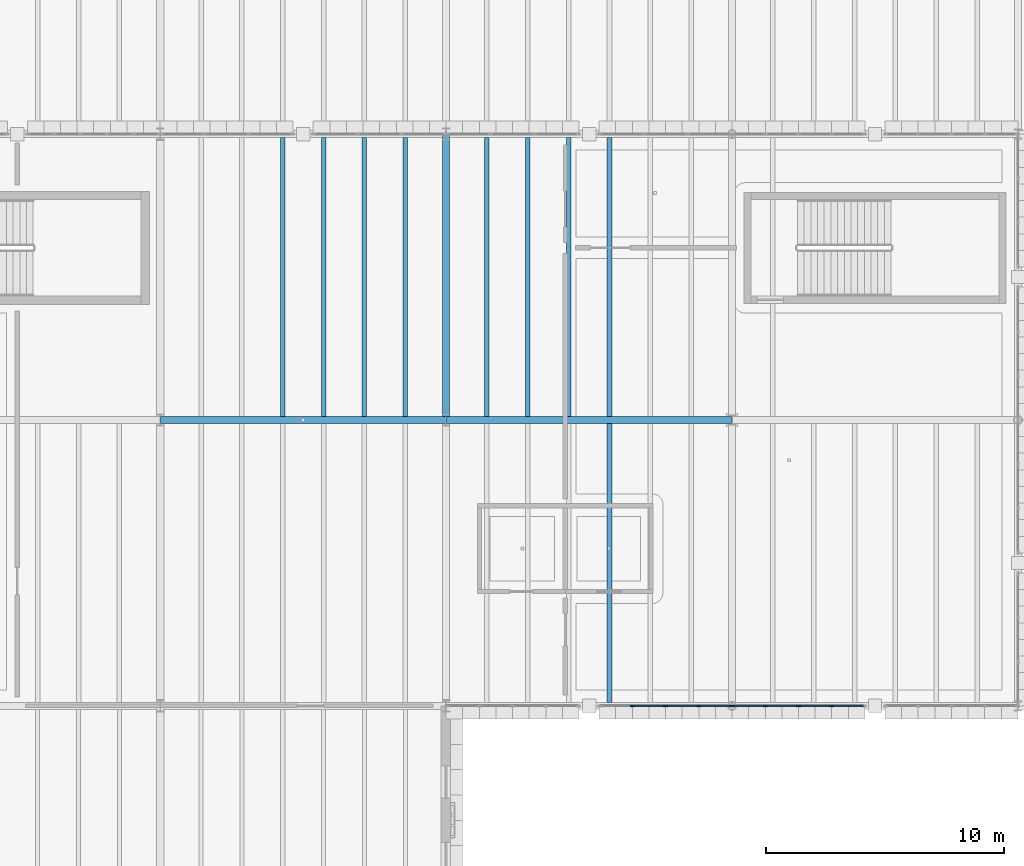
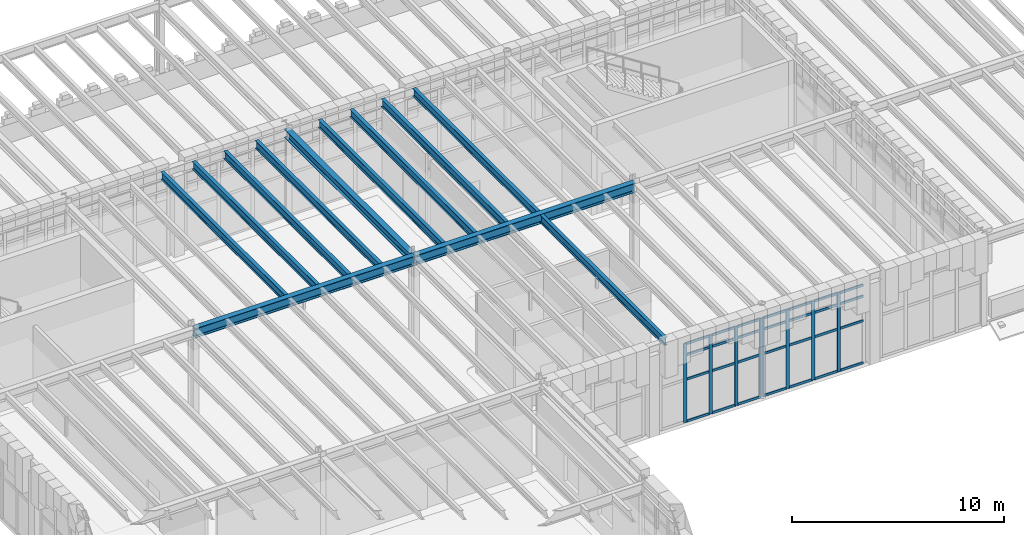
# One storey, part 20 of 100: 36 members, 12 beams, 2 elements without a shape of their own.
"""IFC4 building model written with IfcOpenShell, lengths in metres."""

from ifc_helpers import new_model, si_unit, direction, frame, origin, origin_2d, place, context, subcontext, project, spatial, rectangle, i_section, extrude, material, layer, layer_set, material_profile, profile_set, type_object, element, aggregate, save


model = new_model("IFC4")

# Units and contexts
model_context = context("Model", 3, precision=1e-05, world=origin(), true_north=direction((0.0, 1.0)))
body_context = subcontext(model_context, "Body", "Model", "MODEL_VIEW")
ifc_project = project(units=[si_unit("LENGTHUNIT", "METRE"), si_unit("AREAUNIT", "SQUARE_METRE"), si_unit("VOLUMEUNIT", "CUBIC_METRE"), si_unit("PLANEANGLEUNIT", "RADIAN"), si_unit("MASSUNIT", "GRAM", prefix="KILO")], contexts=[model_context])

# Site, building, storey
site_placement = place(None, origin())
site = spatial("IfcSite", under=ifc_project, at=site_placement, CompositionType="ELEMENT")
building_placement = place(site_placement, origin())
building = spatial("IfcBuilding", under=site, at=building_placement, Name="Zlatogorsky Bluff Art Gallery", CompositionType="ELEMENT")
storey_placement = place(building_placement, frame((0.0, 0.0, 5.39990234375)))
storey = spatial("IfcBuildingStorey", under=building, at=storey_placement, Name="L01", CompositionType="ELEMENT", Elevation=5.39990234375)

# Beams
ifc_material_1 = material(Name="Steel S355", Category="steel")
ifc_material_profile_1 = material_profile(ifc_material_1, i_section(OverallWidth=0.300048828125, OverallDepth=0.5400390625, WebThickness=0.012451171875, FlangeThickness=0.02392578125, FilletRadius=0.027099609375, at=origin_2d()), Name="HEA 550")
ifc_profile_set_1 = profile_set([ifc_material_profile_1], Name="Steel S355")
beam_type_1 = type_object("IfcBeamType", Name="Beam BM-06 HEA 550", PredefinedType="BEAM", material=ifc_profile_set_1)
for number, where, z_axis, x_axis, name in (
    (1, (12.014892578125, 96.0, 4.840087890625), (1.0, 0.0, 0.0), (0.0, 1.0, 0.0), "Primary girder BM-06 L01 B-C/10"),
    (2, (24.014892578125, 96.0, 4.840087890625), (1.0, 0.0, 0.0), (0.0, 1.0, 0.0), "Primary girder BM-06 L01 C-D/10"),
):
    element("IfcBeam", number, at=place(storey_placement, frame(where, z_axis=z_axis, x_axis=x_axis)), inside=storey, type_object=beam_type_1, Name=name, PredefinedType="BEAM", context=body_context, shape_type="SweptSolid", body=[
        extrude(i_section(OverallWidth=0.300048828125, OverallDepth=0.5400390625, WebThickness=0.012451171875, FlangeThickness=0.02392578125, FilletRadius=0.027099609375, at=origin_2d()), origin(), (0.0, 0.0, 1.0), 11.97021484375),
    ])
ifc_material_profile_2 = material_profile(ifc_material_1, i_section(OverallWidth=0.300048828125, OverallDepth=0.489990234375, WebThickness=0.011962890625, FlangeThickness=0.02294921875, FilletRadius=0.027099609375, at=origin_2d()), Name="HEA 500")
ifc_profile_set_2 = profile_set([ifc_material_profile_2], Name="Steel S355")
beam_type_2 = type_object("IfcBeamType", Name="Beam BM-07 HEA 500", PredefinedType="BEAM", material=ifc_profile_set_2)
beam_placement = place(storey_placement, frame((24.0, 96.014892578125, 4.864990234375), z_axis=(0.0, 1.0, 0.0), x_axis=(-1.0, 0.0, 0.0)))
element("IfcBeam", 3, at=beam_placement, inside=storey, type_object=beam_type_2, Name="Primary girder BM-07 L01 C/10-11", PredefinedType="BEAM", context=body_context, shape_type="SweptSolid", body=[
    extrude(i_section(OverallWidth=0.300048828125, OverallDepth=0.489990234375, WebThickness=0.011962890625, FlangeThickness=0.02294921875, FilletRadius=0.027099609375, at=origin_2d()), origin(), (0.0, 0.0, 1.0), 11.97021484375),
])
ifc_material_profile_3 = material_profile(ifc_material_1, i_section(OverallWidth=0.18994140625, OverallDepth=0.449951171875, WebThickness=0.009521484375, FlangeThickness=0.0146484375, FilletRadius=0.02099609375, at=origin_2d()), Name="IPE 450")
ifc_profile_set_3 = profile_set([ifc_material_profile_3], Name="Steel S355")
beam_type_3 = type_object("IfcBeamType", Name="Beam JS-06 IPE 450", PredefinedType="JOIST", material=ifc_profile_set_3)
for number, where, z_axis, x_axis, name in (
    (4, (17.142822265625, 96.14990234375, 4.885009765625), (0.0, 1.0, 0.0), (-1.0, 0.0, 0.0), "Composite floor joist JS-06 L01 01.09.3"),
    (5, (18.857177734375, 96.14990234375, 4.885009765625), (0.0, 1.0, 0.0), (-1.0, 0.0, 0.0), "Composite floor joist JS-06 L01 01.09.4"),
    (6, (20.571533203125, 96.14990234375, 4.885009765625), (0.0, 1.0, 0.0), (-1.0, 0.0, 0.0), "Composite floor joist JS-06 L01 01.09.5"),
    (7, (22.28564453125, 96.14990234375, 4.885009765625), (0.0, 1.0, 0.0), (-1.0, 0.0, 0.0), "Composite floor joist JS-06 L01 01.09.6"),
    (8, (30.857177734375, 84.14990234375, 4.885009765625), (0.0, 1.0, 0.0), (-1.0, 0.0, 0.0), "Composite floor joist JS-06 L01 02.08.4"),
    (9, (25.71435546875, 96.14990234375, 4.885009765625), (0.0, 1.0, 0.0), (-1.0, 0.0, 0.0), "Composite floor joist JS-06 L01 02.09.1"),
    (10, (27.428466796875, 96.14990234375, 4.885009765625), (0.0, 1.0, 0.0), (-1.0, 0.0, 0.0), "Composite floor joist JS-06 L01 02.09.2"),
    (11, (29.142822265625, 96.14990234375, 4.885009765625), (0.0, 1.0, 0.0), (-1.0, 0.0, 0.0), "Composite floor joist JS-06 L01 02.09.3"),
    (12, (30.857177734375, 96.14990234375, 4.885009765625), (0.0, 1.0, 0.0), (-1.0, 0.0, 0.0), "Composite floor joist JS-06 L01 02.09.4"),
):
    element("IfcBeam", number, at=place(storey_placement, frame(where, z_axis=z_axis, x_axis=x_axis)), inside=storey, type_object=beam_type_3, Name=name, PredefinedType="JOIST", context=body_context, shape_type="SweptSolid", body=[
        extrude(i_section(OverallWidth=0.18994140625, OverallDepth=0.449951171875, WebThickness=0.009521484375, FlangeThickness=0.0146484375, FilletRadius=0.02099609375, at=origin_2d()), origin(), (0.0, 0.0, 1.0), 11.7001953125),
    ])

# Curtain wall, members
ifc_material_2 = material(Name="Anodised Bronze Aluminium and Low-Iron Triple Glazing", Category="aluminium")
ifc_layer = layer(ifc_material_2, 0.199951171875)
ifc_layer_set = layer_set([ifc_layer], Name="Curtain Wall CW-02")
curtain_wall_type = type_object("IfcCurtainWallType", Name="Curtain Wall CW-02", PredefinedType="USERDEFINED", material=ifc_layer_set)
curtain_wall_1_placement = place(storey_placement, origin())
curtain_wall_1 = element("IfcCurtainWall", 13, at=curtain_wall_1_placement, inside=storey, type_object=curtain_wall_type, Name="Unitised curtain wall CW-02 L01 S 2.8-B", ObjectType="CURTAIN WALL", PredefinedType="USERDEFINED")
ifc_material_3 = material(Name="Anodised Bronze Aluminium", Category="aluminium")
ifc_material_profile_4 = material_profile(ifc_material_3, rectangle(XDim=0.06494140625, YDim=0.179931640625, at=origin_2d()), Name="ALU MULLION 65x180")
ifc_profile_set_4 = profile_set([ifc_material_profile_4], Name="Anodised Bronze Aluminium")
member_type_1 = type_object("IfcMemberType", Name="Curtain Mullion ML-01", PredefinedType="MULLION", material=ifc_profile_set_4)
member_1_placement = place(storey_placement, frame((31.81494140625, 84.0, 0.0), z_axis=(0.0, 0.0, 1.0), x_axis=(0.0, 1.0, 0.0)))
member_1 = element("IfcMember", 14, at=member_1_placement, type_object=member_type_1, Name="CW-02 mullion 2", PredefinedType="MULLION", context=body_context, shape_type="SweptSolid", body=[
    extrude(rectangle(XDim=0.06494140625, YDim=0.179931640625, at=origin_2d()), origin(), (0.0, 0.0, 1.0), 4.530029296875),
])
member_2_placement = place(storey_placement, frame((33.2099609375, 84.0, 0.0), z_axis=(0.0, 0.0, 1.0), x_axis=(0.0, 1.0, 0.0)))
member_2 = element("IfcMember", 15, at=member_2_placement, type_object=member_type_1, Name="CW-02 mullion 3", PredefinedType="MULLION", context=body_context, shape_type="SweptSolid", body=[
    extrude(rectangle(XDim=0.06494140625, YDim=0.179931640625, at=origin_2d()), origin(), (0.0, 0.0, 1.0), 4.530029296875),
])
member_3_placement = place(storey_placement, frame((34.60498046875, 84.0, 0.0), z_axis=(0.0, 0.0, 1.0), x_axis=(0.0, 1.0, 0.0)))
member_3 = element("IfcMember", 16, at=member_3_placement, type_object=member_type_1, Name="CW-02 mullion 4", PredefinedType="MULLION", context=body_context, shape_type="SweptSolid", body=[
    extrude(rectangle(XDim=0.06494140625, YDim=0.179931640625, at=origin_2d()), origin(), (0.0, 0.0, 1.0), 4.530029296875),
])
member_4_placement = place(storey_placement, frame((35.967529296875, 84.0, 0.0), z_axis=(0.0, 0.0, 1.0), x_axis=(0.0, 1.0, 0.0)))
member_4 = element("IfcMember", 17, at=member_4_placement, type_object=member_type_1, Name="CW-02 mullion 5", PredefinedType="MULLION", context=body_context, shape_type="SweptSolid", body=[
    extrude(rectangle(XDim=0.06494140625, YDim=0.179931640625, at=origin_2d()), origin(), (0.0, 0.0, 1.0), 4.530029296875),
])

curtain_wall_2_placement = place(storey_placement, origin())
curtain_wall_2 = element("IfcCurtainWall", 18, at=curtain_wall_2_placement, inside=storey, type_object=curtain_wall_type, Name="Unitised curtain wall CW-02 L01 S 3.8-A", ObjectType="CURTAIN WALL", PredefinedType="USERDEFINED")
member_5_placement = place(storey_placement, frame((36.032470703125, 84.0, 0.0), z_axis=(0.0, 0.0, 1.0), x_axis=(0.0, 1.0, 0.0)))
member_5 = element("IfcMember", 19, at=member_5_placement, type_object=member_type_1, Name="CW-02 mullion 1", PredefinedType="MULLION", context=body_context, shape_type="SweptSolid", body=[
    extrude(rectangle(XDim=0.06494140625, YDim=0.179931640625, at=origin_2d()), origin(), (0.0, 0.0, 1.0), 4.530029296875),
])
member_6_placement = place(storey_placement, frame((37.39501953125, 84.0, 0.0), z_axis=(0.0, 0.0, 1.0), x_axis=(0.0, 1.0, 0.0)))
member_6 = element("IfcMember", 20, at=member_6_placement, type_object=member_type_1, Name="CW-02 mullion 2", PredefinedType="MULLION", context=body_context, shape_type="SweptSolid", body=[
    extrude(rectangle(XDim=0.06494140625, YDim=0.179931640625, at=origin_2d()), origin(), (0.0, 0.0, 1.0), 4.530029296875),
])
member_7_placement = place(storey_placement, frame((38.7900390625, 84.0, 0.0), z_axis=(0.0, 0.0, 1.0), x_axis=(0.0, 1.0, 0.0)))
member_7 = element("IfcMember", 21, at=member_7_placement, type_object=member_type_1, Name="CW-02 mullion 3", PredefinedType="MULLION", context=body_context, shape_type="SweptSolid", body=[
    extrude(rectangle(XDim=0.06494140625, YDim=0.179931640625, at=origin_2d()), origin(), (0.0, 0.0, 1.0), 4.530029296875),
])
member_8_placement = place(storey_placement, frame((40.18505859375, 84.0, 0.0), z_axis=(0.0, 0.0, 1.0), x_axis=(0.0, 1.0, 0.0)))
member_8 = element("IfcMember", 22, at=member_8_placement, type_object=member_type_1, Name="CW-02 mullion 4", PredefinedType="MULLION", context=body_context, shape_type="SweptSolid", body=[
    extrude(rectangle(XDim=0.06494140625, YDim=0.179931640625, at=origin_2d()), origin(), (0.0, 0.0, 1.0), 4.530029296875),
])

# Member
ifc_material_profile_5 = material_profile(ifc_material_3, rectangle(XDim=0.06494140625, YDim=0.139892578125, at=origin_2d()), Name="ALU TRANSOM 65x140")
ifc_profile_set_5 = profile_set([ifc_material_profile_5], Name="Anodised Bronze Aluminium")
member_type_2 = type_object("IfcMemberType", Name="Curtain Transom TR-01", PredefinedType="USERDEFINED", material=ifc_profile_set_5)
member_9_placement = place(storey_placement, frame((31.847412109375, 84.0, 0.03271484375), z_axis=(1.0, 0.0, 0.0), x_axis=(0.0, 1.0, 0.0)))
member_9 = element("IfcMember", 23, at=member_9_placement, type_object=member_type_2, Name="CW-02 transom 2.1", ObjectType="TRANSOM", PredefinedType="USERDEFINED", context=body_context, shape_type="SweptSolid", body=[
    extrude(rectangle(XDim=0.06494140625, YDim=0.139892578125, at=origin_2d()), origin(), (0.0, 0.0, 1.0), 1.330078125),
])

member_10_placement = place(storey_placement, frame((31.847412109375, 84.0, 2.4501953125), z_axis=(1.0, 0.0, 0.0), x_axis=(0.0, 1.0, 0.0)))
member_10 = element("IfcMember", 24, at=member_10_placement, type_object=member_type_2, Name="CW-02 transom 2.2", ObjectType="TRANSOM", PredefinedType="USERDEFINED", context=body_context, shape_type="SweptSolid", body=[
    extrude(rectangle(XDim=0.06494140625, YDim=0.139892578125, at=origin_2d()), origin(), (0.0, 0.0, 1.0), 1.330078125),
])

member_11_placement = place(storey_placement, frame((31.847412109375, 84.0, 3.85009765625), z_axis=(1.0, 0.0, 0.0), x_axis=(0.0, 1.0, 0.0)))
member_11 = element("IfcMember", 25, at=member_11_placement, type_object=member_type_2, Name="CW-02 transom 2.3", ObjectType="TRANSOM", PredefinedType="USERDEFINED", context=body_context, shape_type="SweptSolid", body=[
    extrude(rectangle(XDim=0.06494140625, YDim=0.139892578125, at=origin_2d()), origin(), (0.0, 0.0, 1.0), 1.330078125),
])

member_12_placement = place(storey_placement, frame((31.847412109375, 84.0, 4.49755859375), z_axis=(1.0, 0.0, 0.0), x_axis=(0.0, 1.0, 0.0)))
member_12 = element("IfcMember", 26, at=member_12_placement, type_object=member_type_2, Name="CW-02 transom 2.4", ObjectType="TRANSOM", PredefinedType="USERDEFINED", context=body_context, shape_type="SweptSolid", body=[
    extrude(rectangle(XDim=0.06494140625, YDim=0.139892578125, at=origin_2d()), origin(), (0.0, 0.0, 1.0), 1.330078125),
])

member_13_placement = place(storey_placement, frame((33.242431640625, 84.0, 0.03271484375), z_axis=(1.0, 0.0, 0.0), x_axis=(0.0, 1.0, 0.0)))
member_13 = element("IfcMember", 27, at=member_13_placement, type_object=member_type_2, Name="CW-02 transom 3.1", ObjectType="TRANSOM", PredefinedType="USERDEFINED", context=body_context, shape_type="SweptSolid", body=[
    extrude(rectangle(XDim=0.06494140625, YDim=0.139892578125, at=origin_2d()), origin(), (0.0, 0.0, 1.0), 1.330078125),
])

member_14_placement = place(storey_placement, frame((33.242431640625, 84.0, 2.4501953125), z_axis=(1.0, 0.0, 0.0), x_axis=(0.0, 1.0, 0.0)))
member_14 = element("IfcMember", 28, at=member_14_placement, type_object=member_type_2, Name="CW-02 transom 3.2", ObjectType="TRANSOM", PredefinedType="USERDEFINED", context=body_context, shape_type="SweptSolid", body=[
    extrude(rectangle(XDim=0.06494140625, YDim=0.139892578125, at=origin_2d()), origin(), (0.0, 0.0, 1.0), 1.330078125),
])

member_15_placement = place(storey_placement, frame((33.242431640625, 84.0, 3.85009765625), z_axis=(1.0, 0.0, 0.0), x_axis=(0.0, 1.0, 0.0)))
member_15 = element("IfcMember", 29, at=member_15_placement, type_object=member_type_2, Name="CW-02 transom 3.3", ObjectType="TRANSOM", PredefinedType="USERDEFINED", context=body_context, shape_type="SweptSolid", body=[
    extrude(rectangle(XDim=0.06494140625, YDim=0.139892578125, at=origin_2d()), origin(), (0.0, 0.0, 1.0), 1.330078125),
])

member_16_placement = place(storey_placement, frame((33.242431640625, 84.0, 4.49755859375), z_axis=(1.0, 0.0, 0.0), x_axis=(0.0, 1.0, 0.0)))
member_16 = element("IfcMember", 30, at=member_16_placement, type_object=member_type_2, Name="CW-02 transom 3.4", ObjectType="TRANSOM", PredefinedType="USERDEFINED", context=body_context, shape_type="SweptSolid", body=[
    extrude(rectangle(XDim=0.06494140625, YDim=0.139892578125, at=origin_2d()), origin(), (0.0, 0.0, 1.0), 1.330078125),
])

member_17_placement = place(storey_placement, frame((34.637451171875, 84.0, 0.03271484375), z_axis=(1.0, 0.0, 0.0), x_axis=(0.0, 1.0, 0.0)))
member_17 = element("IfcMember", 31, at=member_17_placement, type_object=member_type_2, Name="CW-02 transom 4.1", ObjectType="TRANSOM", PredefinedType="USERDEFINED", context=body_context, shape_type="SweptSolid", body=[
    extrude(rectangle(XDim=0.06494140625, YDim=0.139892578125, at=origin_2d()), origin(), (0.0, 0.0, 1.0), 1.297607421875),
])

member_18_placement = place(storey_placement, frame((34.637451171875, 84.0, 2.4501953125), z_axis=(1.0, 0.0, 0.0), x_axis=(0.0, 1.0, 0.0)))
member_18 = element("IfcMember", 32, at=member_18_placement, type_object=member_type_2, Name="CW-02 transom 4.2", ObjectType="TRANSOM", PredefinedType="USERDEFINED", context=body_context, shape_type="SweptSolid", body=[
    extrude(rectangle(XDim=0.06494140625, YDim=0.139892578125, at=origin_2d()), origin(), (0.0, 0.0, 1.0), 1.297607421875),
])

member_19_placement = place(storey_placement, frame((34.637451171875, 84.0, 3.85009765625), z_axis=(1.0, 0.0, 0.0), x_axis=(0.0, 1.0, 0.0)))
member_19 = element("IfcMember", 33, at=member_19_placement, type_object=member_type_2, Name="CW-02 transom 4.3", ObjectType="TRANSOM", PredefinedType="USERDEFINED", context=body_context, shape_type="SweptSolid", body=[
    extrude(rectangle(XDim=0.06494140625, YDim=0.139892578125, at=origin_2d()), origin(), (0.0, 0.0, 1.0), 1.297607421875),
])

member_20_placement = place(storey_placement, frame((34.637451171875, 84.0, 4.49755859375), z_axis=(1.0, 0.0, 0.0), x_axis=(0.0, 1.0, 0.0)))
member_20 = element("IfcMember", 34, at=member_20_placement, type_object=member_type_2, Name="CW-02 transom 4.4", ObjectType="TRANSOM", PredefinedType="USERDEFINED", context=body_context, shape_type="SweptSolid", body=[
    extrude(rectangle(XDim=0.06494140625, YDim=0.139892578125, at=origin_2d()), origin(), (0.0, 0.0, 1.0), 1.297607421875),
])

aggregate(curtain_wall_1, [member_1, member_2, member_3, member_4, member_9, member_10, member_11, member_12, member_13, member_14, member_15, member_16, member_17, member_18, member_19, member_20])

member_21_placement = place(storey_placement, frame((36.06494140625, 84.0, 0.03271484375), z_axis=(1.0, 0.0, 0.0), x_axis=(0.0, 1.0, 0.0)))
member_21 = element("IfcMember", 35, at=member_21_placement, type_object=member_type_2, Name="CW-02 transom 1.1", ObjectType="TRANSOM", PredefinedType="USERDEFINED", context=body_context, shape_type="SweptSolid", body=[
    extrude(rectangle(XDim=0.06494140625, YDim=0.139892578125, at=origin_2d()), origin(), (0.0, 0.0, 1.0), 1.297607421875),
])

member_22_placement = place(storey_placement, frame((36.06494140625, 84.0, 2.4501953125), z_axis=(1.0, 0.0, 0.0), x_axis=(0.0, 1.0, 0.0)))
member_22 = element("IfcMember", 36, at=member_22_placement, type_object=member_type_2, Name="CW-02 transom 1.2", ObjectType="TRANSOM", PredefinedType="USERDEFINED", context=body_context, shape_type="SweptSolid", body=[
    extrude(rectangle(XDim=0.06494140625, YDim=0.139892578125, at=origin_2d()), origin(), (0.0, 0.0, 1.0), 1.297607421875),
])

member_23_placement = place(storey_placement, frame((36.06494140625, 84.0, 3.85009765625), z_axis=(1.0, 0.0, 0.0), x_axis=(0.0, 1.0, 0.0)))
member_23 = element("IfcMember", 37, at=member_23_placement, type_object=member_type_2, Name="CW-02 transom 1.3", ObjectType="TRANSOM", PredefinedType="USERDEFINED", context=body_context, shape_type="SweptSolid", body=[
    extrude(rectangle(XDim=0.06494140625, YDim=0.139892578125, at=origin_2d()), origin(), (0.0, 0.0, 1.0), 1.297607421875),
])

member_24_placement = place(storey_placement, frame((36.06494140625, 84.0, 4.49755859375), z_axis=(1.0, 0.0, 0.0), x_axis=(0.0, 1.0, 0.0)))
member_24 = element("IfcMember", 38, at=member_24_placement, type_object=member_type_2, Name="CW-02 transom 1.4", ObjectType="TRANSOM", PredefinedType="USERDEFINED", context=body_context, shape_type="SweptSolid", body=[
    extrude(rectangle(XDim=0.06494140625, YDim=0.139892578125, at=origin_2d()), origin(), (0.0, 0.0, 1.0), 1.297607421875),
])

member_25_placement = place(storey_placement, frame((37.427490234375, 84.0, 0.03271484375), z_axis=(1.0, 0.0, 0.0), x_axis=(0.0, 1.0, 0.0)))
member_25 = element("IfcMember", 39, at=member_25_placement, type_object=member_type_2, Name="CW-02 transom 2.1", ObjectType="TRANSOM", PredefinedType="USERDEFINED", context=body_context, shape_type="SweptSolid", body=[
    extrude(rectangle(XDim=0.06494140625, YDim=0.139892578125, at=origin_2d()), origin(), (0.0, 0.0, 1.0), 1.330078125),
])

member_26_placement = place(storey_placement, frame((37.427490234375, 84.0, 2.4501953125), z_axis=(1.0, 0.0, 0.0), x_axis=(0.0, 1.0, 0.0)))
member_26 = element("IfcMember", 40, at=member_26_placement, type_object=member_type_2, Name="CW-02 transom 2.2", ObjectType="TRANSOM", PredefinedType="USERDEFINED", context=body_context, shape_type="SweptSolid", body=[
    extrude(rectangle(XDim=0.06494140625, YDim=0.139892578125, at=origin_2d()), origin(), (0.0, 0.0, 1.0), 1.330078125),
])

member_27_placement = place(storey_placement, frame((37.427490234375, 84.0, 3.85009765625), z_axis=(1.0, 0.0, 0.0), x_axis=(0.0, 1.0, 0.0)))
member_27 = element("IfcMember", 41, at=member_27_placement, type_object=member_type_2, Name="CW-02 transom 2.3", ObjectType="TRANSOM", PredefinedType="USERDEFINED", context=body_context, shape_type="SweptSolid", body=[
    extrude(rectangle(XDim=0.06494140625, YDim=0.139892578125, at=origin_2d()), origin(), (0.0, 0.0, 1.0), 1.330078125),
])

member_28_placement = place(storey_placement, frame((37.427490234375, 84.0, 4.49755859375), z_axis=(1.0, 0.0, 0.0), x_axis=(0.0, 1.0, 0.0)))
member_28 = element("IfcMember", 42, at=member_28_placement, type_object=member_type_2, Name="CW-02 transom 2.4", ObjectType="TRANSOM", PredefinedType="USERDEFINED", context=body_context, shape_type="SweptSolid", body=[
    extrude(rectangle(XDim=0.06494140625, YDim=0.139892578125, at=origin_2d()), origin(), (0.0, 0.0, 1.0), 1.330078125),
])

member_29_placement = place(storey_placement, frame((38.822509765625, 84.0, 0.03271484375), z_axis=(1.0, 0.0, 0.0), x_axis=(0.0, 1.0, 0.0)))
member_29 = element("IfcMember", 43, at=member_29_placement, type_object=member_type_2, Name="CW-02 transom 3.1", ObjectType="TRANSOM", PredefinedType="USERDEFINED", context=body_context, shape_type="SweptSolid", body=[
    extrude(rectangle(XDim=0.06494140625, YDim=0.139892578125, at=origin_2d()), origin(), (0.0, 0.0, 1.0), 1.330078125),
])

member_30_placement = place(storey_placement, frame((38.822509765625, 84.0, 2.4501953125), z_axis=(1.0, 0.0, 0.0), x_axis=(0.0, 1.0, 0.0)))
member_30 = element("IfcMember", 44, at=member_30_placement, type_object=member_type_2, Name="CW-02 transom 3.2", ObjectType="TRANSOM", PredefinedType="USERDEFINED", context=body_context, shape_type="SweptSolid", body=[
    extrude(rectangle(XDim=0.06494140625, YDim=0.139892578125, at=origin_2d()), origin(), (0.0, 0.0, 1.0), 1.330078125),
])

member_31_placement = place(storey_placement, frame((38.822509765625, 84.0, 3.85009765625), z_axis=(1.0, 0.0, 0.0), x_axis=(0.0, 1.0, 0.0)))
member_31 = element("IfcMember", 45, at=member_31_placement, type_object=member_type_2, Name="CW-02 transom 3.3", ObjectType="TRANSOM", PredefinedType="USERDEFINED", context=body_context, shape_type="SweptSolid", body=[
    extrude(rectangle(XDim=0.06494140625, YDim=0.139892578125, at=origin_2d()), origin(), (0.0, 0.0, 1.0), 1.330078125),
])

member_32_placement = place(storey_placement, frame((38.822509765625, 84.0, 4.49755859375), z_axis=(1.0, 0.0, 0.0), x_axis=(0.0, 1.0, 0.0)))
member_32 = element("IfcMember", 46, at=member_32_placement, type_object=member_type_2, Name="CW-02 transom 3.4", ObjectType="TRANSOM", PredefinedType="USERDEFINED", context=body_context, shape_type="SweptSolid", body=[
    extrude(rectangle(XDim=0.06494140625, YDim=0.139892578125, at=origin_2d()), origin(), (0.0, 0.0, 1.0), 1.330078125),
])

member_33_placement = place(storey_placement, frame((40.217529296875, 84.0, 0.03271484375), z_axis=(1.0, 0.0, 0.0), x_axis=(0.0, 1.0, 0.0)))
member_33 = element("IfcMember", 47, at=member_33_placement, type_object=member_type_2, Name="CW-02 transom 4.1", ObjectType="TRANSOM", PredefinedType="USERDEFINED", context=body_context, shape_type="SweptSolid", body=[
    extrude(rectangle(XDim=0.06494140625, YDim=0.139892578125, at=origin_2d()), origin(), (0.0, 0.0, 1.0), 1.29736328125),
])

member_34_placement = place(storey_placement, frame((40.217529296875, 84.0, 2.4501953125), z_axis=(1.0, 0.0, 0.0), x_axis=(0.0, 1.0, 0.0)))
member_34 = element("IfcMember", 48, at=member_34_placement, type_object=member_type_2, Name="CW-02 transom 4.2", ObjectType="TRANSOM", PredefinedType="USERDEFINED", context=body_context, shape_type="SweptSolid", body=[
    extrude(rectangle(XDim=0.06494140625, YDim=0.139892578125, at=origin_2d()), origin(), (0.0, 0.0, 1.0), 1.29736328125),
])

member_35_placement = place(storey_placement, frame((40.217529296875, 84.0, 3.85009765625), z_axis=(1.0, 0.0, 0.0), x_axis=(0.0, 1.0, 0.0)))
member_35 = element("IfcMember", 49, at=member_35_placement, type_object=member_type_2, Name="CW-02 transom 4.3", ObjectType="TRANSOM", PredefinedType="USERDEFINED", context=body_context, shape_type="SweptSolid", body=[
    extrude(rectangle(XDim=0.06494140625, YDim=0.139892578125, at=origin_2d()), origin(), (0.0, 0.0, 1.0), 1.29736328125),
])

member_36_placement = place(storey_placement, frame((40.217529296875, 84.0, 4.49755859375), z_axis=(1.0, 0.0, 0.0), x_axis=(0.0, 1.0, 0.0)))
member_36 = element("IfcMember", 50, at=member_36_placement, type_object=member_type_2, Name="CW-02 transom 4.4", ObjectType="TRANSOM", PredefinedType="USERDEFINED", context=body_context, shape_type="SweptSolid", body=[
    extrude(rectangle(XDim=0.06494140625, YDim=0.139892578125, at=origin_2d()), origin(), (0.0, 0.0, 1.0), 1.29736328125),
])

aggregate(curtain_wall_2, [member_5, member_6, member_7, member_8, member_21, member_22, member_23, member_24, member_25, member_26, member_27, member_28, member_29, member_30, member_31, member_32, member_33, member_34, member_35, member_36])

save(model, "model.ifc")
